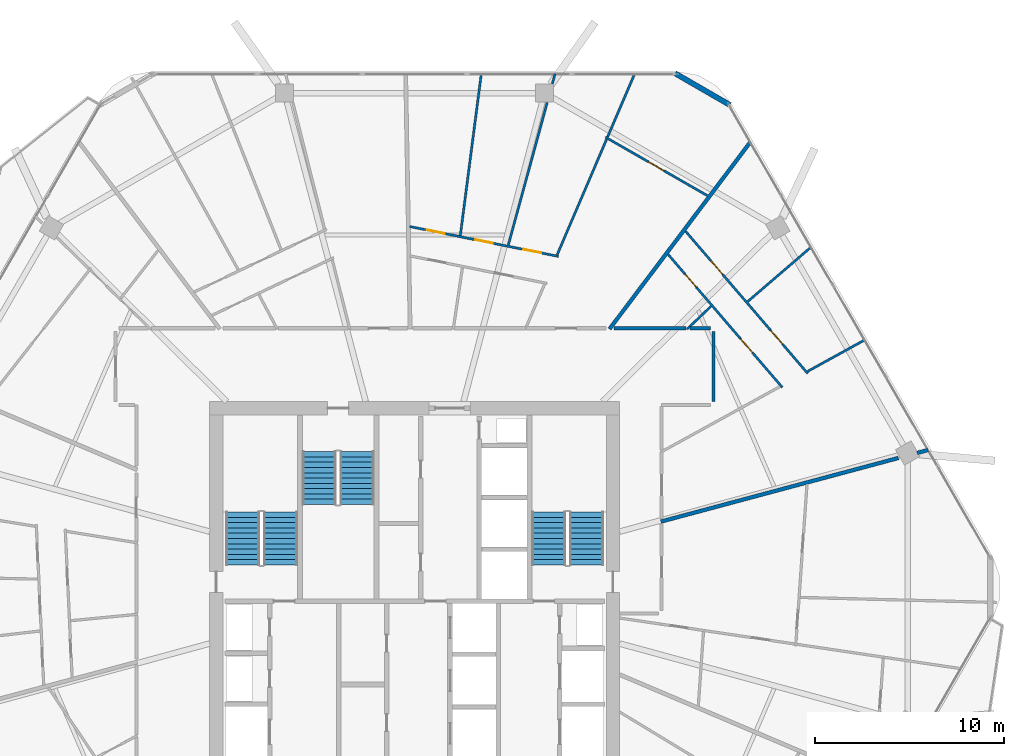
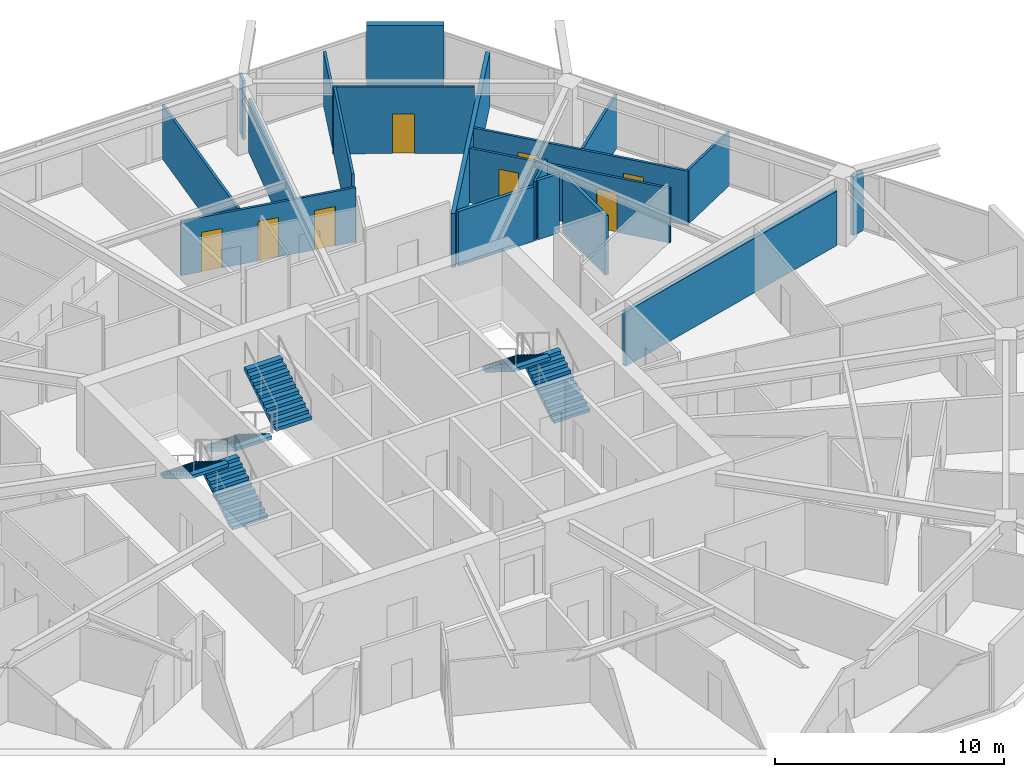
# One storey, part 23 of 27: 19 walls, 8 doors, 6 stair flights, 8 openings, 3 elements without a shape of their own.
"""IFC4 building model written with IfcOpenShell, lengths in metres."""

from ifc_helpers import new_model, si_unit, direction, frame, frame_2d, origin, place, context, subcontext, project, spatial, polyline, rectangle, outline, extrude, material, layer, layer_set, type_object, element, fill, aggregate, save


model = new_model("IFC4")

# Units and contexts
model_context = context("Model", 3, precision=1e-05, world=origin(), true_north=direction((0.0, 1.0)))
body_context = subcontext(model_context, "Body", "Model", "MODEL_VIEW")
ifc_project = project(units=[si_unit("LENGTHUNIT", "METRE"), si_unit("AREAUNIT", "SQUARE_METRE"), si_unit("VOLUMEUNIT", "CUBIC_METRE"), si_unit("PLANEANGLEUNIT", "RADIAN"), si_unit("MASSUNIT", "GRAM", prefix="KILO")], contexts=[model_context])

# Site, building, storey
site_placement = place(None, origin())
site = spatial("IfcSite", under=ifc_project, at=site_placement, CompositionType="ELEMENT")
building_placement = place(site_placement, origin())
building = spatial("IfcBuilding", under=site, at=building_placement, Name="Zuhravey Tower", CompositionType="ELEMENT")
storey_placement = place(building_placement, frame((0.0, 0.0, 188.39990234375)))
storey = spatial("IfcBuildingStorey", under=building, at=storey_placement, Name="L47", CompositionType="ELEMENT", Elevation=188.39990234375)

# Walls
ifc_material_1 = material(Name="Gypsum fire-rated stud partition")
ifc_layer_1 = layer(ifc_material_1, 0.159912109375)
ifc_layer_set_1 = layer_set([ifc_layer_1], Name="Gypsum fire-rated stud partition")
wall_type_1 = type_object("IfcWallType", Name="Corridor Fire Partition 160", PredefinedType="PARTITIONING", material=ifc_layer_set_1)
wall_1_placement = place(storey_placement, frame((51.830078125, 41.85009765625, 0.0), z_axis=(0.0, 0.0, 1.0), x_axis=(0.0, 1.0, 0.0)))
element("IfcWall", 1, at=wall_1_placement, inside=storey, type_object=wall_type_1, Name="L47 IW16 Partition 123", PredefinedType="PARTITIONING", context=body_context, shape_type="SweptSolid", body=[
    extrude(rectangle(XDim=3.699951171875, YDim=0.159912109375, at=frame_2d((1.85009765625, 0.0))), origin(), (0.0, 0.0, 1.0), 3.150146484375),
])
wall_2_placement = place(storey_placement, frame((51.64990234375, 45.72998046875, 0.0), z_axis=(0.0, 0.0, 1.0), x_axis=(-1.0, 0.0, 0.0)))
element("IfcWall", 2, at=wall_2_placement, inside=storey, type_object=wall_type_1, Name="L47 IW16 Partition 126", PredefinedType="PARTITIONING", context=body_context, shape_type="SweptSolid", body=[
    extrude(rectangle(XDim=1.08349609375, YDim=0.159912109375, at=frame_2d((0.541748046875, 0.0))), origin(), (0.0, 0.0, 1.0), 3.150146484375),
])
wall_3_placement = place(storey_placement, frame((50.368896484375, 45.72998046875, 0.0), z_axis=(0.0, 0.0, 1.0), x_axis=(-1.0, 0.0, 0.0)))
element("IfcWall", 3, at=wall_3_placement, inside=storey, type_object=wall_type_1, Name="L47 IW16 Partition 127", PredefinedType="PARTITIONING", context=body_context, shape_type="SweptSolid", body=[
    extrude(rectangle(XDim=3.808349609375, YDim=0.159912109375, at=frame_2d((1.904296875, 0.0))), origin(), (0.0, 0.0, 1.0), 2.900146484375),
])
ifc_material_2 = material(Name="Precast concrete C40/50", Category="concrete")
ifc_layer_2 = layer(ifc_material_2, 0.280029296875)
ifc_layer_set_2 = layer_set([ifc_layer_2], Name="Precast concrete C40/50")
wall_type_2 = type_object("IfcWallType", Name="Crown Architectural Wall 280", PredefinedType="SOLIDWALL", material=ifc_layer_set_2)
wall_4_placement = place(storey_placement, frame((49.77880859375, 59.230712890625, 0.0), z_axis=(0.0, 0.0, 1.0), x_axis=(0.866020068361, -0.500009241111, 0.0)))
element("IfcWall", 4, at=wall_4_placement, inside=storey, type_object=wall_type_2, Name="L47 Rounded Corner Closure Wall EW28-10", PredefinedType="SOLIDWALL", context=body_context, shape_type="SweptSolid", body=[
    extrude(rectangle(XDim=3.365234375, YDim=0.280029296875, at=frame_2d((1.6826171875, 0.0))), origin(), (0.0, 0.0, 1.0), 3.550048828125),
])
ifc_material_3 = material(Name="Gypsum double-stud party assembly")
ifc_layer_3 = layer(ifc_material_3, 0.199951171875)
ifc_layer_set_3 = layer_set([ifc_layer_3], Name="Gypsum double-stud party assembly")
wall_type_3 = type_object("IfcWallType", Name="Inter-Tenancy Party Wall 200", PredefinedType="PARTITIONING", material=ifc_layer_set_3)
wall_5_placement = place(storey_placement, frame((49.0400390625, 35.494140625, 0.0), z_axis=(0.0, 0.0, 1.0), x_axis=(0.965928543948, 0.258808902449, 0.0)))
element("IfcWall", 5, at=wall_5_placement, inside=storey, type_object=wall_type_3, Name="L47 IW20 Partition 067", PredefinedType="PARTITIONING", context=body_context, shape_type="SweptSolid", body=[
    extrude(rectangle(XDim=13.015869140625, YDim=0.199951171875, at=frame_2d((6.5078125, 0.0))), origin(), (0.0, 0.0, 1.0), 2.900146484375),
])
wall_6_placement = place(storey_placement, frame((62.6025390625, 39.128173828125, 0.0), z_axis=(0.0, 0.0, 1.0), x_axis=(0.965944425699, 0.258749621182, 0.0)))
element("IfcWall", 6, at=wall_6_placement, inside=storey, type_object=wall_type_3, Name="L47 IW20 Partition 068", PredefinedType="PARTITIONING", context=body_context, shape_type="SweptSolid", body=[
    extrude(rectangle(XDim=0.60107421875, YDim=0.199951171875, at=frame_2d((0.300537109375, 0.0))), origin(), (0.0, 0.0, 1.0), 3.1220703125),
])
wall_7_placement = place(storey_placement, frame((46.316162109375, 45.68994140625, 0.0), z_axis=(0.0, 0.0, 1.0), x_axis=(0.601811441108, 0.798638209299, 0.0)))
element("IfcWall", 7, at=wall_7_placement, inside=storey, type_object=wall_type_3, Name="L47 IW20 Partition 073", PredefinedType="PARTITIONING", context=body_context, shape_type="SweptSolid", body=[
    extrude(rectangle(XDim=12.388916015625, YDim=0.199951171875, at=frame_2d((6.1943359375, 0.0))), origin(), (0.0, 0.0, 1.0), 2.8701171875),
])

# Wall, openings, doors
ifc_material_4 = material(Name="Gypsum metal-stud partition")
ifc_layer_4 = layer(ifc_material_4, 0.1201171875)
ifc_layer_set_4 = layer_set([ifc_layer_4], Name="Gypsum metal-stud partition")
wall_type_4 = type_object("IfcWallType", Name="Unit Internal Partition 120", PredefinedType="PARTITIONING", material=ifc_layer_set_4)
wall_8_placement = place(storey_placement, frame((55.467041015625, 42.5966796875, 0.0), z_axis=(0.0, 0.0, 1.0), x_axis=(-0.651552756093, 0.758603325875, 0.0)))
wall_8 = element("IfcWall", 8, at=wall_8_placement, inside=storey, type_object=wall_type_4, Name="L47 IW12 Partition 020", PredefinedType="PARTITIONING", context=body_context, shape_type="SweptSolid", body=[
    extrude(rectangle(XDim=9.291259765625, YDim=0.1201171875, at=frame_2d((4.6455078125, 0.0))), origin(), (0.0, 0.0, 1.0), 2.900146484375),
])
opening_1_placement = place(wall_8_placement, frame((2.436767578125, 0.0, 0.0)))
opening_1 = element("IfcOpeningElement", 9, at=opening_1_placement, cuts=wall_8, Name="Opening IND1", PredefinedType="OPENING", context=body_context, shape_type="SweptSolid", body=[
    extrude(rectangle(XDim=0.949951171875, YDim=2.10009765625, at=frame_2d((0.47509765625, 1.050048828125))), frame((0.0, 0.072021484375, 0.0), z_axis=(0.0, -1.0, 0.0), x_axis=(1.0, 0.0, 0.0)), (0.0, 0.0, 1.0), 0.14404296875),
])
opening_2_placement = place(wall_8_placement, frame((7.0048828125, 0.0, 0.0)))
opening_2 = element("IfcOpeningElement", 10, at=opening_2_placement, cuts=wall_8, Name="Opening WCD1", PredefinedType="OPENING", context=body_context, shape_type="SweptSolid", body=[
    extrude(rectangle(XDim=0.89990234375, YDim=2.10009765625, at=frame_2d((0.449951171875, 1.050048828125))), frame((0.0, 0.072021484375, 0.0), z_axis=(0.0, -1.0, 0.0), x_axis=(1.0, 0.0, 0.0)), (0.0, 0.0, 1.0), 0.14404296875),
])
ifc_material_5 = material(Name="Moisture-resistant timber leaf", Category="wood")
door_type_1 = type_object("IfcDoorType", Name="Bathroom & WC Internal Door 900x2100", OperationType="NOTDEFINED", PredefinedType="DOOR", material=ifc_material_5)
door_1_placement = place(opening_2_placement, origin())
door_1 = element("IfcDoor", 11, at=door_1_placement, inside=storey, type_object=door_type_1, Name="Apartment L47-01 Bathroom Door", OperationType="SINGLE_SWING_LEFT", OverallHeight=2.10009765625, OverallWidth=0.89990234375, PredefinedType="DOOR", context=body_context, shape_type="SweptSolid", body=[
    extrude(rectangle(XDim=0.89990234375, YDim=2.10009765625, at=frame_2d((0.449951171875, 1.050048828125))), frame((0.0, 0.02490234375, 0.0), z_axis=(0.0, -1.0, 0.0), x_axis=(1.0, 0.0, 0.0)), (0.0, 0.0, 1.0), 0.050048828125),
])
fill(opening_2, door_1)
ifc_material_6 = material(Name="Painted engineered timber leaf", Category="wood")
door_type_2 = type_object("IfcDoorType", Name="Internal Room & Bedroom Door 950x2100", OperationType="NOTDEFINED", PredefinedType="DOOR", material=ifc_material_6)
door_2_placement = place(opening_1_placement, origin())
door_2 = element("IfcDoor", 12, at=door_2_placement, inside=storey, type_object=door_type_2, Name="Apartment L47-01 Kitchen Door", OperationType="SINGLE_SWING_RIGHT", OverallHeight=2.10009765625, OverallWidth=0.949951171875, PredefinedType="DOOR", context=body_context, shape_type="SweptSolid", body=[
    extrude(rectangle(XDim=0.949951171875, YDim=2.10009765625, at=frame_2d((0.47509765625, 1.050048828125))), frame((0.0, 0.02490234375, 0.0), z_axis=(0.0, -1.0, 0.0), x_axis=(1.0, 0.0, 0.0)), (0.0, 0.0, 1.0), 0.050048828125),
])
fill(opening_1, door_2)

wall_9_placement = place(storey_placement, frame((56.809814453125, 43.335693359375, 0.0), z_axis=(0.0, 0.0, 1.0), x_axis=(-0.651575392226, 0.75858388346, 0.0)))
wall_9 = element("IfcWall", 13, at=wall_9_placement, inside=storey, type_object=wall_type_4, Name="L47 IW12 Partition 021", PredefinedType="PARTITIONING", context=body_context, shape_type="SweptSolid", body=[
    extrude(rectangle(XDim=9.919921875, YDim=0.1201171875, at=frame_2d((4.9599609375, 0.0))), origin(), (0.0, 0.0, 1.0), 2.900146484375),
])
opening_3_placement = place(wall_9_placement, frame((2.054931640625, 0.0, 0.0)))
opening_3 = element("IfcOpeningElement", 14, at=opening_3_placement, cuts=wall_9, Name="Opening IND1", PredefinedType="OPENING", context=body_context, shape_type="SweptSolid", body=[
    extrude(rectangle(XDim=0.949951171875, YDim=2.10009765625, at=frame_2d((0.47509765625, 1.050048828125))), frame((0.0, 0.072021484375, 0.0), z_axis=(0.0, -1.0, 0.0), x_axis=(1.0, 0.0, 0.0)), (0.0, 0.0, 1.0), 0.14404296875),
])
opening_4_placement = place(wall_9_placement, frame((6.914794921875, 0.0, 0.0)))
opening_4 = element("IfcOpeningElement", 15, at=opening_4_placement, cuts=wall_9, Name="Opening IND1", PredefinedType="OPENING", context=body_context, shape_type="SweptSolid", body=[
    extrude(rectangle(XDim=0.949951171875, YDim=2.10009765625, at=frame_2d((0.47509765625, 1.050048828125))), frame((0.0, 0.072021484375, 0.0), z_axis=(0.0, -1.0, 0.0), x_axis=(1.0, 0.0, 0.0)), (0.0, 0.0, 1.0), 0.14404296875),
])
door_3_placement = place(opening_3_placement, frame((0.949951171875, 0.0, 0.0), z_axis=(0.0, 0.0, 1.0), x_axis=(-1.0, 0.0, 0.0)))
door_3 = element("IfcDoor", 16, at=door_3_placement, inside=storey, type_object=door_type_2, Name="Apartment L47-01 Bedroom 1 Door", OperationType="SINGLE_SWING_RIGHT", OverallHeight=2.10009765625, OverallWidth=0.949951171875, PredefinedType="DOOR", context=body_context, shape_type="SweptSolid", body=[
    extrude(rectangle(XDim=0.949951171875, YDim=2.10009765625, at=frame_2d((0.47509765625, 1.050048828125))), frame((0.0, 0.02490234375, 0.0), z_axis=(0.0, -1.0, 0.0), x_axis=(1.0, 0.0, 0.0)), (0.0, 0.0, 1.0), 0.050048828125),
])
fill(opening_3, door_3)
door_4_placement = place(opening_4_placement, frame((0.949951171875, 0.0, 0.0), z_axis=(0.0, 0.0, 1.0), x_axis=(-1.0, 0.0, 0.0)))
door_4 = element("IfcDoor", 17, at=door_4_placement, inside=storey, type_object=door_type_2, Name="Apartment L47-01 Bedroom 2 Door", OperationType="SINGLE_SWING_LEFT", OverallHeight=2.10009765625, OverallWidth=0.949951171875, PredefinedType="DOOR", context=body_context, shape_type="SweptSolid", body=[
    extrude(rectangle(XDim=0.949951171875, YDim=2.10009765625, at=frame_2d((0.47509765625, 1.050048828125))), frame((0.0, 0.02490234375, 0.0), z_axis=(0.0, -1.0, 0.0), x_axis=(1.0, 0.0, 0.0)), (0.0, 0.0, 1.0), 0.050048828125),
])
fill(opening_4, door_4)

# Wall, opening, door
wall_10_placement = place(storey_placement, frame((51.484619140625, 52.75830078125, 0.0), z_axis=(0.0, 0.0, 1.0), x_axis=(-0.86742606269, 0.497566101907, 0.0)))
wall_10 = element("IfcWall", 18, at=wall_10_placement, inside=storey, type_object=wall_type_4, Name="L47 IW12 Partition 023", PredefinedType="PARTITIONING", context=body_context, shape_type="SweptSolid", body=[
    extrude(rectangle(XDim=6.20556640625, YDim=0.1201171875, at=frame_2d((3.102783203125, 0.0))), origin(), (0.0, 0.0, 1.0), 3.550048828125),
])
opening_5_placement = place(wall_10_placement, frame((2.627685546875, 0.0, 0.0)))
opening_5 = element("IfcOpeningElement", 19, at=opening_5_placement, cuts=wall_10, Name="Opening IND1", PredefinedType="OPENING", context=body_context, shape_type="SweptSolid", body=[
    extrude(rectangle(XDim=0.949951171875, YDim=2.10009765625, at=frame_2d((0.47509765625, 1.050048828125))), frame((0.0, 0.072021484375, 0.0), z_axis=(0.0, -1.0, 0.0), x_axis=(1.0, 0.0, 0.0)), (0.0, 0.0, 1.0), 0.14404296875),
])
door_5_placement = place(opening_5_placement, frame((0.949951171875, 0.0, 0.0), z_axis=(0.0, 0.0, 1.0), x_axis=(-1.0, 0.0, 0.0)))
door_5 = element("IfcDoor", 20, at=door_5_placement, inside=storey, type_object=door_type_2, Name="Apartment L47-02 Family Study Door", OperationType="SINGLE_SWING_LEFT", OverallHeight=2.10009765625, OverallWidth=0.949951171875, PredefinedType="DOOR", context=body_context, shape_type="SweptSolid", body=[
    extrude(rectangle(XDim=0.949951171875, YDim=2.10009765625, at=frame_2d((0.47509765625, 1.050048828125))), frame((0.0, 0.02490234375, 0.0), z_axis=(0.0, -1.0, 0.0), x_axis=(1.0, 0.0, 0.0)), (0.0, 0.0, 1.0), 0.050048828125),
])
fill(opening_5, door_5)

# Wall, openings, doors
wall_11_placement = place(storey_placement, frame((43.616455078125, 49.533447265625, 0.0), z_axis=(0.0, 0.0, 1.0), x_axis=(-0.980475426361, 0.196641649461, 0.0)))
wall_11 = element("IfcWall", 21, at=wall_11_placement, inside=storey, type_object=wall_type_4, Name="L47 IW12 Partition 025", PredefinedType="PARTITIONING", context=body_context, shape_type="SweptSolid", body=[
    extrude(rectangle(XDim=8.040283203125, YDim=0.1201171875, at=frame_2d((4.02001953125, 0.0))), origin(), (0.0, 0.0, 1.0), 2.900146484375),
])
opening_6_placement = place(wall_11_placement, frame((0.940185546875, 0.0, 0.0)))
opening_6 = element("IfcOpeningElement", 22, at=opening_6_placement, cuts=wall_11, Name="Opening IND1", PredefinedType="OPENING", context=body_context, shape_type="SweptSolid", body=[
    extrude(rectangle(XDim=0.949951171875, YDim=2.10009765625, at=frame_2d((0.47509765625, 1.050048828125))), frame((0.0, 0.072021484375, 0.0), z_axis=(0.0, -1.0, 0.0), x_axis=(1.0, 0.0, 0.0)), (0.0, 0.0, 1.0), 0.14404296875),
])
opening_7_placement = place(wall_11_placement, frame((3.545166015625, 0.0, 0.0)))
opening_7 = element("IfcOpeningElement", 23, at=opening_7_placement, cuts=wall_11, Name="Opening IND1", PredefinedType="OPENING", context=body_context, shape_type="SweptSolid", body=[
    extrude(rectangle(XDim=0.949951171875, YDim=2.10009765625, at=frame_2d((0.47509765625, 1.050048828125))), frame((0.0, 0.072021484375, 0.0), z_axis=(0.0, -1.0, 0.0), x_axis=(1.0, 0.0, 0.0)), (0.0, 0.0, 1.0), 0.14404296875),
])
opening_8_placement = place(wall_11_placement, frame((6.14990234375, 0.0, 0.0)))
opening_8 = element("IfcOpeningElement", 24, at=opening_8_placement, cuts=wall_11, Name="Opening IND1", PredefinedType="OPENING", context=body_context, shape_type="SweptSolid", body=[
    extrude(rectangle(XDim=0.949951171875, YDim=2.10009765625, at=frame_2d((0.47509765625, 1.050048828125))), frame((0.0, 0.072021484375, 0.0), z_axis=(0.0, -1.0, 0.0), x_axis=(1.0, 0.0, 0.0)), (0.0, 0.0, 1.0), 0.14404296875),
])
door_6_placement = place(opening_6_placement, frame((0.949951171875, 0.0, 0.0), z_axis=(0.0, 0.0, 1.0), x_axis=(-1.0, 0.0, 0.0)))
door_6 = element("IfcDoor", 25, at=door_6_placement, inside=storey, type_object=door_type_2, Name="Apartment L47-02 Bedroom 1 Door", OperationType="SINGLE_SWING_RIGHT", OverallHeight=2.10009765625, OverallWidth=0.949951171875, PredefinedType="DOOR", context=body_context, shape_type="SweptSolid", body=[
    extrude(rectangle(XDim=0.949951171875, YDim=2.10009765625, at=frame_2d((0.47509765625, 1.050048828125))), frame((0.0, 0.02490234375, 0.0), z_axis=(0.0, -1.0, 0.0), x_axis=(1.0, 0.0, 0.0)), (0.0, 0.0, 1.0), 0.050048828125),
])
fill(opening_6, door_6)
door_7_placement = place(opening_7_placement, frame((0.949951171875, 0.0, 0.0), z_axis=(0.0, 0.0, 1.0), x_axis=(-1.0, 0.0, 0.0)))
door_7 = element("IfcDoor", 26, at=door_7_placement, inside=storey, type_object=door_type_2, Name="Apartment L47-02 Bedroom 2 Door", OperationType="SINGLE_SWING_LEFT", OverallHeight=2.10009765625, OverallWidth=0.949951171875, PredefinedType="DOOR", context=body_context, shape_type="SweptSolid", body=[
    extrude(rectangle(XDim=0.949951171875, YDim=2.10009765625, at=frame_2d((0.47509765625, 1.050048828125))), frame((0.0, 0.02490234375, 0.0), z_axis=(0.0, -1.0, 0.0), x_axis=(1.0, 0.0, 0.0)), (0.0, 0.0, 1.0), 0.050048828125),
])
fill(opening_7, door_7)
door_8_placement = place(opening_8_placement, frame((0.949951171875, 0.0, 0.0), z_axis=(0.0, 0.0, 1.0), x_axis=(-1.0, 0.0, 0.0)))
door_8 = element("IfcDoor", 27, at=door_8_placement, inside=storey, type_object=door_type_2, Name="Apartment L47-02 Bedroom 3 Door", OperationType="SINGLE_SWING_RIGHT", OverallHeight=2.10009765625, OverallWidth=0.949951171875, PredefinedType="DOOR", context=body_context, shape_type="SweptSolid", body=[
    extrude(rectangle(XDim=0.949951171875, YDim=2.10009765625, at=frame_2d((0.47509765625, 1.050048828125))), frame((0.0, 0.02490234375, 0.0), z_axis=(0.0, -1.0, 0.0), x_axis=(1.0, 0.0, 0.0)), (0.0, 0.0, 1.0), 0.050048828125),
])
fill(opening_8, door_8)

# Walls
wall_12_placement = place(storey_placement, frame((50.414794921875, 45.679931640625, 0.0), z_axis=(0.0, 0.0, 1.0), x_axis=(0.725405017461, 0.688322279635, 0.0)))
element("IfcWall", 28, at=wall_12_placement, inside=storey, type_object=wall_type_4, Name="L47 IW12 Partition 069", PredefinedType="PARTITIONING", context=body_context, shape_type="SweptSolid", body=[
    extrude(rectangle(XDim=1.7578125, YDim=0.1201171875, at=frame_2d((0.87890625, 0.0))), origin(), (0.0, 0.0, 1.0), 3.150146484375),
])
wall_13_placement = place(storey_placement, frame((53.629638671875, 47.142578125, 0.0), z_axis=(0.0, 0.0, 1.0), x_axis=(0.758610544746, 0.651544351062, 0.0)))
element("IfcWall", 29, at=wall_13_placement, inside=storey, type_object=wall_type_4, Name="L47 IW12 Partition 070", PredefinedType="PARTITIONING", context=body_context, shape_type="SweptSolid", body=[
    extrude(rectangle(XDim=4.4306640625, YDim=0.1201171875, at=frame_2d((2.21533203125, 0.0))), origin(), (0.0, 0.0, 1.0), 2.8701171875),
])
wall_14_placement = place(storey_placement, frame((56.80419921875, 43.446533203125, 0.0), z_axis=(0.0, 0.0, 1.0), x_axis=(0.876100956411, 0.482127694886, 0.0)))
element("IfcWall", 30, at=wall_14_placement, inside=storey, type_object=wall_type_4, Name="L47 IW12 Partition 072", PredefinedType="PARTITIONING", context=body_context, shape_type="SweptSolid", body=[
    extrude(rectangle(XDim=3.45361328125, YDim=0.1201171875, at=frame_2d((1.726806640625, 0.0))), origin(), (0.0, 0.0, 1.0), 2.8701171875),
])
wall_15_placement = place(storey_placement, frame((40.95703125, 50.13623046875, 0.0), z_axis=(0.0, 0.0, 1.0), x_axis=(0.263645815737, 0.964619553941, 0.0)))
element("IfcWall", 31, at=wall_15_placement, inside=storey, type_object=wall_type_4, Name="L47 IW12 Partition 075", PredefinedType="PARTITIONING", context=body_context, shape_type="SweptSolid", body=[
    extrude(rectangle(XDim=7.818359375, YDim=0.1201171875, at=frame_2d((3.9091796875, 0.0))), origin(), (0.0, 0.0, 1.0), 2.900146484375),
])
wall_16_placement = place(storey_placement, frame((43.288818359375, 58.668212890625, 0.0), z_axis=(0.0, 0.0, 1.0), x_axis=(0.263800653892, 0.964577220862, 0.0)))
element("IfcWall", 32, at=wall_16_placement, inside=storey, type_object=wall_type_4, Name="L47 IW12 Partition 076", PredefinedType="PARTITIONING", context=body_context, shape_type="SweptSolid", body=[
    extrude(rectangle(XDim=0.544189453125, YDim=0.1201171875, at=frame_2d((0.27197265625, 0.0))), origin(), (0.0, 0.0, 1.0), 3.1220703125),
])
wall_17_placement = place(storey_placement, frame((38.419189453125, 50.64501953125, 0.0), z_axis=(0.0, 0.0, 1.0), x_axis=(0.128701040878, 0.99168343844, 0.0)))
element("IfcWall", 33, at=wall_17_placement, inside=storey, type_object=wall_type_4, Name="L47 IW12 Partition 077", PredefinedType="PARTITIONING", context=body_context, shape_type="SweptSolid", body=[
    extrude(rectangle(XDim=8.619873046875, YDim=0.1201171875, at=frame_2d((4.31005859375, 0.0))), origin(), (0.0, 0.0, 1.0), 2.8701171875),
])
wall_18_placement = place(storey_placement, frame((43.543701171875, 49.617431640625, 0.0), z_axis=(0.0, 0.0, 1.0), x_axis=(0.393600370301, 0.919281648081, 0.0)))
element("IfcWall", 34, at=wall_18_placement, inside=storey, type_object=wall_type_4, Name="L47 IW12 Partition 079", PredefinedType="PARTITIONING", context=body_context, shape_type="SweptSolid", body=[
    extrude(rectangle(XDim=6.65234375, YDim=0.1201171875, at=frame_2d((3.326171875, 0.0))), origin(), (0.0, 0.0, 1.0), 3.550048828125),
])
wall_19_placement = place(storey_placement, frame((46.216064453125, 55.85888671875, 0.0), z_axis=(0.0, 0.0, 1.0), x_axis=(0.393594079786, 0.919284341408, 0.0)))
element("IfcWall", 35, at=wall_19_placement, inside=storey, type_object=wall_type_4, Name="L47 IW12 Partition 080", PredefinedType="PARTITIONING", context=body_context, shape_type="SweptSolid", body=[
    extrude(rectangle(XDim=3.624267578125, YDim=0.1201171875, at=frame_2d((1.81201171875, 0.0))), origin(), (0.0, 0.0, 1.0), 2.8701171875),
])

# Stair, stair flights
ifc_material_7 = material(Name="Concrete C40/50", Category="concrete")
stair_type = type_object("IfcStairType", Name="Housing Storey Stair Assembly 3800", PredefinedType="HALF_TURN_STAIR", material=ifc_material_7)
stair_1_placement = place(storey_placement, origin())
stair_1 = element("IfcStair", 36, at=stair_1_placement, inside=storey, type_object=stair_type, Name="L47 Core Exit Stair ST1", PredefinedType="HALF_TURN_STAIR")
stair_flight_type = type_object("IfcStairFlightType", Name="Housing Storey Stair Flight 3800", PredefinedType="STRAIGHT", material=ifc_material_7)
stair_flight_1_placement = place(storey_placement, frame((28.89990234375, 33.199951171875, 0.0), z_axis=(0.0, 0.0, 1.0), x_axis=(0.0, 1.0, 0.0)))
stair_flight_1 = element("IfcStairFlight", 37, at=stair_flight_1_placement, type_object=stair_flight_type, Name="ST1 flight 1", NumberOfRisers=11, NumberOfTreads=10, PredefinedType="STRAIGHT", RiserHeight=0.172727273, TreadLength=0.28, context=body_context, shape_type="SweptSolid", body=[
    extrude(outline(polyline([(0.0, 0.0), (0.0, 0.172607421875), (0.280029296875, 0.172607421875), (0.280029296875, 0.345458984375), (0.56005859375, 0.345458984375), (0.56005859375, 0.51806640625), (0.840087890625, 0.51806640625), (0.840087890625, 0.69091796875), (1.1201171875, 0.69091796875), (1.1201171875, 0.863525390625), (1.39990234375, 0.863525390625), (1.39990234375, 1.036376953125), (1.679931640625, 1.036376953125), (1.679931640625, 1.208984375), (1.9599609375, 1.208984375), (1.9599609375, 1.3818359375), (2.239990234375, 1.3818359375), (2.239990234375, 1.554443359375), (2.52001953125, 1.554443359375), (2.52001953125, 1.727294921875), (2.800048828125, 1.727294921875), (2.800048828125, 1.89990234375), (2.800048828125, 1.551025390625), (0.285400390625, 0.0), (0.0, 0.0)])), frame((0.0, 0.89990234375, 0.0), z_axis=(0.0, -1.0, 0.0), x_axis=(1.0, 0.0, 0.0)), (0.0, 0.0, 1.0), 1.800048828125),
])
stair_flight_2_placement = place(storey_placement, frame((26.89990234375, 36.0, 1.900146484375), z_axis=(0.0, 0.0, 1.0), x_axis=(0.0, -1.0, 0.0)))
stair_flight_2 = element("IfcStairFlight", 38, at=stair_flight_2_placement, type_object=stair_flight_type, Name="ST1 flight 2", NumberOfRisers=11, NumberOfTreads=10, PredefinedType="STRAIGHT", RiserHeight=0.172727273, TreadLength=0.28, context=body_context, shape_type="SweptSolid", body=[
    extrude(outline(polyline([(0.0, 0.0), (0.0, 0.172607421875), (0.280029296875, 0.172607421875), (0.280029296875, 0.345458984375), (0.56005859375, 0.345458984375), (0.56005859375, 0.51806640625), (0.840087890625, 0.51806640625), (0.840087890625, 0.69091796875), (1.1201171875, 0.69091796875), (1.1201171875, 0.863525390625), (1.39990234375, 0.863525390625), (1.39990234375, 1.036376953125), (1.679931640625, 1.036376953125), (1.679931640625, 1.208984375), (1.9599609375, 1.208984375), (1.9599609375, 1.3818359375), (2.239990234375, 1.3818359375), (2.239990234375, 1.554443359375), (2.52001953125, 1.554443359375), (2.52001953125, 1.727294921875), (2.800048828125, 1.727294921875), (2.800048828125, 1.89990234375), (2.800048828125, 1.551025390625), (0.285400390625, 0.0), (0.0, 0.0)])), frame((0.0, 0.89990234375, 0.0), z_axis=(0.0, -1.0, 0.0), x_axis=(1.0, 0.0, 0.0)), (0.0, 0.0, 1.0), 1.800048828125),
])
aggregate(stair_1, [stair_flight_1, stair_flight_2])

stair_2_placement = place(storey_placement, origin())
stair_2 = element("IfcStair", 39, at=stair_2_placement, inside=storey, type_object=stair_type, Name="L47 Core Exit Stair ST2", PredefinedType="HALF_TURN_STAIR")
stair_flight_3_placement = place(storey_placement, frame((45.10009765625, 33.199951171875, 0.0), z_axis=(0.0, 0.0, 1.0), x_axis=(0.0, 1.0, 0.0)))
stair_flight_3 = element("IfcStairFlight", 40, at=stair_flight_3_placement, type_object=stair_flight_type, Name="ST2 flight 1", NumberOfRisers=11, NumberOfTreads=10, PredefinedType="STRAIGHT", RiserHeight=0.172727273, TreadLength=0.28, context=body_context, shape_type="SweptSolid", body=[
    extrude(outline(polyline([(0.0, 0.0), (0.0, 0.172607421875), (0.280029296875, 0.172607421875), (0.280029296875, 0.345458984375), (0.56005859375, 0.345458984375), (0.56005859375, 0.51806640625), (0.840087890625, 0.51806640625), (0.840087890625, 0.69091796875), (1.1201171875, 0.69091796875), (1.1201171875, 0.863525390625), (1.39990234375, 0.863525390625), (1.39990234375, 1.036376953125), (1.679931640625, 1.036376953125), (1.679931640625, 1.208984375), (1.9599609375, 1.208984375), (1.9599609375, 1.3818359375), (2.239990234375, 1.3818359375), (2.239990234375, 1.554443359375), (2.52001953125, 1.554443359375), (2.52001953125, 1.727294921875), (2.800048828125, 1.727294921875), (2.800048828125, 1.89990234375), (2.800048828125, 1.551025390625), (0.285400390625, 0.0), (0.0, 0.0)])), frame((0.0, 0.89990234375, 0.0), z_axis=(0.0, -1.0, 0.0), x_axis=(1.0, 0.0, 0.0)), (0.0, 0.0, 1.0), 1.800048828125),
])
stair_flight_4_placement = place(storey_placement, frame((43.10009765625, 36.0, 1.900146484375), z_axis=(0.0, 0.0, 1.0), x_axis=(0.0, -1.0, 0.0)))
stair_flight_4 = element("IfcStairFlight", 41, at=stair_flight_4_placement, type_object=stair_flight_type, Name="ST2 flight 2", NumberOfRisers=11, NumberOfTreads=10, PredefinedType="STRAIGHT", RiserHeight=0.172727273, TreadLength=0.28, context=body_context, shape_type="SweptSolid", body=[
    extrude(outline(polyline([(0.0, 0.0), (0.0, 0.172607421875), (0.280029296875, 0.172607421875), (0.280029296875, 0.345458984375), (0.56005859375, 0.345458984375), (0.56005859375, 0.51806640625), (0.840087890625, 0.51806640625), (0.840087890625, 0.69091796875), (1.1201171875, 0.69091796875), (1.1201171875, 0.863525390625), (1.39990234375, 0.863525390625), (1.39990234375, 1.036376953125), (1.679931640625, 1.036376953125), (1.679931640625, 1.208984375), (1.9599609375, 1.208984375), (1.9599609375, 1.3818359375), (2.239990234375, 1.3818359375), (2.239990234375, 1.554443359375), (2.52001953125, 1.554443359375), (2.52001953125, 1.727294921875), (2.800048828125, 1.727294921875), (2.800048828125, 1.89990234375), (2.800048828125, 1.551025390625), (0.285400390625, 0.0), (0.0, 0.0)])), frame((0.0, 0.89990234375, 0.0), z_axis=(0.0, -1.0, 0.0), x_axis=(1.0, 0.0, 0.0)), (0.0, 0.0, 1.0), 1.800048828125),
])
aggregate(stair_2, [stair_flight_3, stair_flight_4])

stair_3_placement = place(storey_placement, origin())
stair_3 = element("IfcStair", 42, at=stair_3_placement, inside=storey, type_object=stair_type, Name="L47 Core Exit Stair ST3", PredefinedType="HALF_TURN_STAIR")
stair_flight_5_placement = place(storey_placement, frame((30.949951171875, 39.199951171875, 0.0), z_axis=(0.0, 0.0, 1.0), x_axis=(0.0, -1.0, 0.0)))
stair_flight_5 = element("IfcStairFlight", 43, at=stair_flight_5_placement, type_object=stair_flight_type, Name="ST3 flight 1", NumberOfRisers=11, NumberOfTreads=10, PredefinedType="STRAIGHT", RiserHeight=0.172727273, TreadLength=0.28, context=body_context, shape_type="SweptSolid", body=[
    extrude(outline(polyline([(0.0, 0.0), (0.0, 0.172607421875), (0.280029296875, 0.172607421875), (0.280029296875, 0.345458984375), (0.56005859375, 0.345458984375), (0.56005859375, 0.51806640625), (0.840087890625, 0.51806640625), (0.840087890625, 0.69091796875), (1.1201171875, 0.69091796875), (1.1201171875, 0.863525390625), (1.39990234375, 0.863525390625), (1.39990234375, 1.036376953125), (1.679931640625, 1.036376953125), (1.679931640625, 1.208984375), (1.9599609375, 1.208984375), (1.9599609375, 1.3818359375), (2.239990234375, 1.3818359375), (2.239990234375, 1.554443359375), (2.52001953125, 1.554443359375), (2.52001953125, 1.727294921875), (2.800048828125, 1.727294921875), (2.800048828125, 1.89990234375), (2.800048828125, 1.551025390625), (0.285400390625, 0.0), (0.0, 0.0)])), frame((0.0, 0.89990234375, 0.0), z_axis=(0.0, -1.0, 0.0), x_axis=(1.0, 0.0, 0.0)), (0.0, 0.0, 1.0), 1.800048828125),
])
stair_flight_6_placement = place(storey_placement, frame((32.949951171875, 36.39990234375, 1.900146484375), z_axis=(0.0, 0.0, 1.0), x_axis=(0.0, 1.0, 0.0)))
stair_flight_6 = element("IfcStairFlight", 44, at=stair_flight_6_placement, type_object=stair_flight_type, Name="ST3 flight 2", NumberOfRisers=11, NumberOfTreads=10, PredefinedType="STRAIGHT", RiserHeight=0.172727273, TreadLength=0.28, context=body_context, shape_type="SweptSolid", body=[
    extrude(outline(polyline([(0.0, 0.0), (0.0, 0.172607421875), (0.280029296875, 0.172607421875), (0.280029296875, 0.345458984375), (0.56005859375, 0.345458984375), (0.56005859375, 0.51806640625), (0.840087890625, 0.51806640625), (0.840087890625, 0.69091796875), (1.1201171875, 0.69091796875), (1.1201171875, 0.863525390625), (1.39990234375, 0.863525390625), (1.39990234375, 1.036376953125), (1.679931640625, 1.036376953125), (1.679931640625, 1.208984375), (1.9599609375, 1.208984375), (1.9599609375, 1.3818359375), (2.239990234375, 1.3818359375), (2.239990234375, 1.554443359375), (2.52001953125, 1.554443359375), (2.52001953125, 1.727294921875), (2.800048828125, 1.727294921875), (2.800048828125, 1.89990234375), (2.800048828125, 1.551025390625), (0.285400390625, 0.0), (0.0, 0.0)])), frame((0.0, 0.89990234375, 0.0), z_axis=(0.0, -1.0, 0.0), x_axis=(1.0, 0.0, 0.0)), (0.0, 0.0, 1.0), 1.800048828125),
])
aggregate(stair_3, [stair_flight_5, stair_flight_6])

save(model, "model.ifc")
